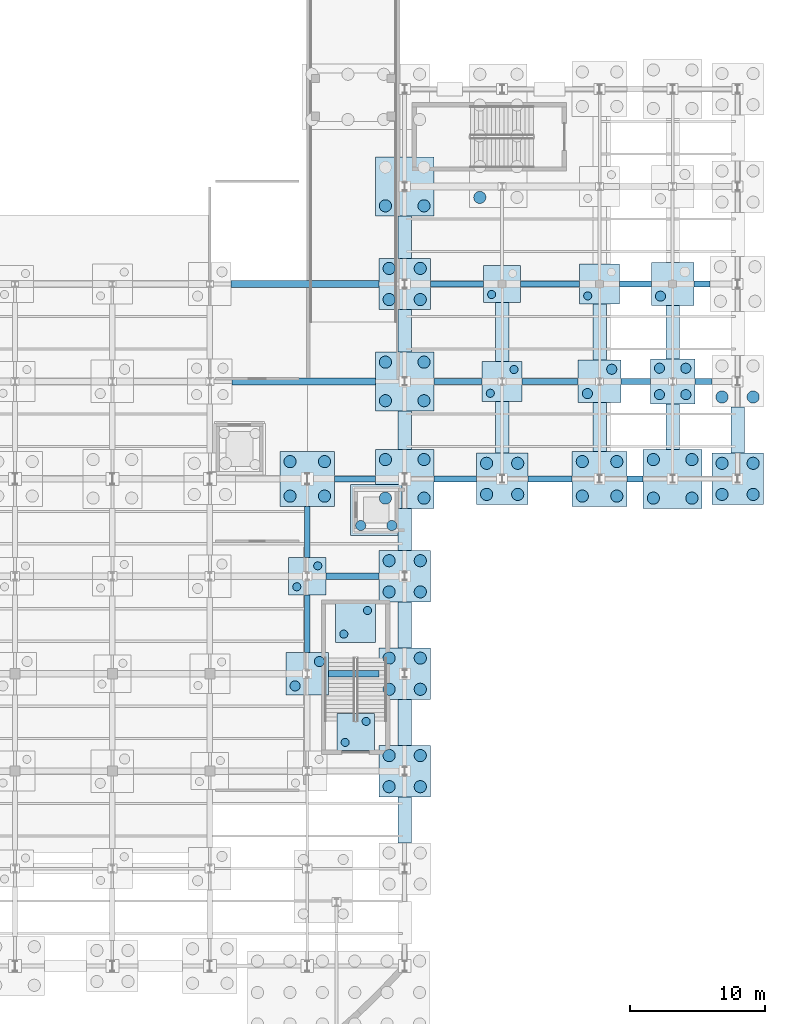
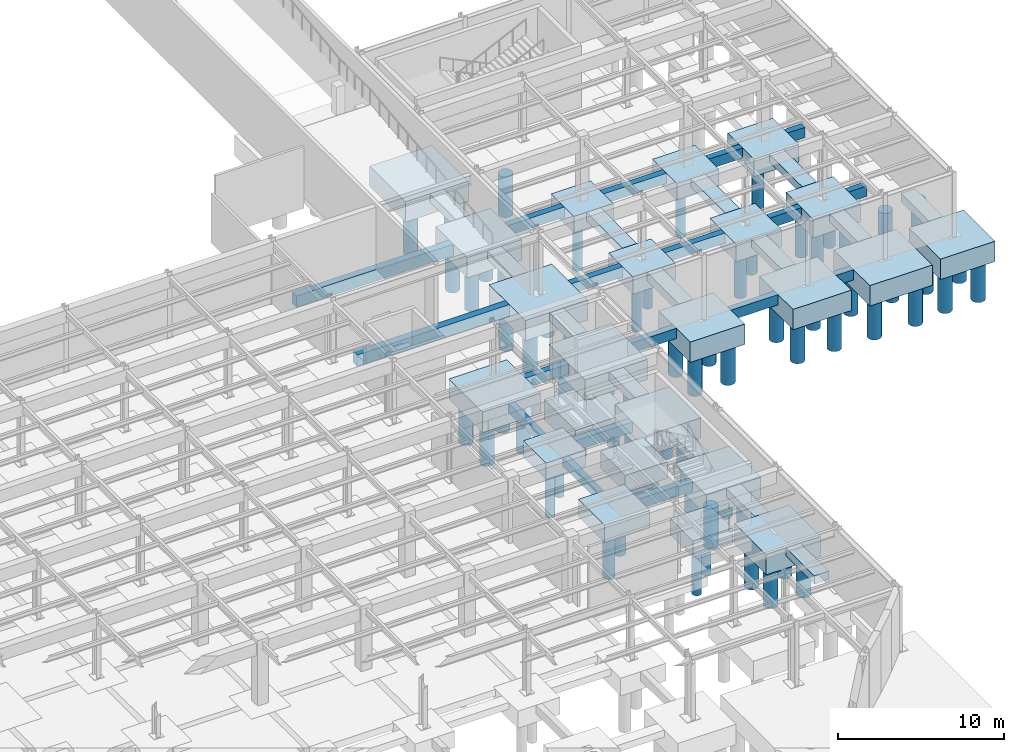
# One storey, part 14 of 64: 70 piles, 55 footings.
"""IFC4 building model written with IfcOpenShell, lengths in metres."""

from ifc_helpers import new_model, si_unit, direction, frame, origin, origin_2d, place, context, subcontext, project, spatial, rectangle, circle, extrude, material, material_profile, profile_set, type_object, element, save


model = new_model("IFC4")

# Units and contexts
model_context = context("Model", 3, precision=1e-05, world=origin(), true_north=direction((0.0, 1.0)))
body_context = subcontext(model_context, "Body", "Model", "MODEL_VIEW")
ifc_project = project(units=[si_unit("LENGTHUNIT", "METRE"), si_unit("AREAUNIT", "SQUARE_METRE"), si_unit("VOLUMEUNIT", "CUBIC_METRE"), si_unit("PLANEANGLEUNIT", "RADIAN"), si_unit("MASSUNIT", "GRAM", prefix="KILO")], contexts=[model_context])

# Site, building, storey
site_placement = place(None, origin())
site = spatial("IfcSite", under=ifc_project, at=site_placement, CompositionType="ELEMENT")
building_placement = place(site_placement, origin())
building = spatial("IfcBuilding", under=site, at=building_placement, Name="Solvadek Multi-Sports Hall", CompositionType="ELEMENT")
storey_placement = place(building_placement, frame((0.0, 0.0, -4.800048828125)))
storey = spatial("IfcBuildingStorey", under=building, at=storey_placement, Name="B1", CompositionType="ELEMENT", Elevation=-4.800048828125)

# Footings
ifc_material_1 = material(Name="Concrete M40", Category="concrete")
footing_type_1 = type_object("IfcFootingType", Name="STR-CAP-275X275X120", PredefinedType="PILE_CAP", material=ifc_material_1)
for number, where, z_axis, x_axis, name in (
    (1, (133.175048828125, 23.300048828125, -1.19970703125), (0.0, 0.0, 1.0), (1.0, 0.0, 0.0), "Pile Cap PC-02 #82"),
    (2, (129.60009765625, 34.800048828125, -1.19970703125), (0.0, 0.0, 1.0), (1.0, 0.0, 0.0), "Pile Cap PC-02 #124"),
    (3, (144.0, 56.39990234375, -1.19970703125), (0.0, 0.0, 1.0), (1.0, 0.0, 0.0), "Pile Cap PC-02 #193"),
):
    element("IfcFooting", number, at=place(storey_placement, frame(where, z_axis=z_axis, x_axis=x_axis)), inside=storey, type_object=footing_type_1, Name=name, PredefinedType="PILE_CAP", context=body_context, shape_type="SweptSolid", body=[
        extrude(rectangle(XDim=2.75, YDim=2.75, at=origin_2d()), origin(), (0.0, 0.0, 1.0), 1.199951171875),
    ])
footing_type_2 = type_object("IfcFootingType", Name="STR-CAP-295X295X125", PredefinedType="PILE_CAP", material=ifc_material_1)
for number, where, z_axis, x_axis, name in (
    (4, (133.175048828125, 31.39990234375, -1.25), (0.0, 0.0, 1.0), (1.0, 0.0, 0.0), "Pile Cap PC-14 #104"),
    (5, (144.0, 49.199951171875, -1.25), (0.0, 0.0, 1.0), (1.0, 0.0, 0.0), "Pile Cap PC-14 #169"),
    (6, (151.199951171875, 56.39990234375, -1.25), (0.0, 0.0, 1.0), (1.0, 0.0, 0.0), "Pile Cap PC-14 #194"),
):
    element("IfcFooting", number, at=place(storey_placement, frame(where, z_axis=z_axis, x_axis=x_axis)), inside=storey, type_object=footing_type_2, Name=name, PredefinedType="PILE_CAP", context=body_context, shape_type="SweptSolid", body=[
        extrude(rectangle(XDim=2.949951171875, YDim=2.949951171875, at=origin_2d()), origin(), (0.0, 0.0, 1.0), 1.25),
    ])
footing_type_3 = type_object("IfcFootingType", Name="STR-CAP-315X315X130", PredefinedType="PILE_CAP", material=ifc_material_1)
for number, where, z_axis, x_axis, name in (
    (7, (129.60009765625, 27.60009765625, -1.2998046875), (0.0, 0.0, 1.0), (1.0, 0.0, 0.0), "Pile Cap PC-15 #102"),
    (8, (151.199951171875, 49.199951171875, -1.2998046875), (0.0, 0.0, 1.0), (1.0, 0.0, 0.0), "Pile Cap PC-15 #170"),
    (9, (156.60009765625, 56.39990234375, -1.2998046875), (0.0, 0.0, 1.0), (1.0, 0.0, 0.0), "Pile Cap PC-15 #195"),
):
    element("IfcFooting", number, at=place(storey_placement, frame(where, z_axis=z_axis, x_axis=x_axis)), inside=storey, type_object=footing_type_3, Name=name, PredefinedType="PILE_CAP", context=body_context, shape_type="SweptSolid", body=[
        extrude(rectangle(XDim=3.14990234375, YDim=3.14990234375, at=origin_2d()), origin(), (0.0, 0.0, 1.0), 1.300048828125),
    ])
footing_type_4 = type_object("IfcFootingType", Name="STR-CAP-330X330X135", PredefinedType="PILE_CAP", material=ifc_material_1)
footing_1_placement = place(storey_placement, frame((156.60009765625, 49.199951171875, -1.35009765625), z_axis=(0.0, 0.0, 1.0), x_axis=(1.0, 0.0, 0.0)))
element("IfcFooting", 10, at=footing_1_placement, inside=storey, type_object=footing_type_4, Name="Pile Cap PC-04 #171", PredefinedType="PILE_CAP", context=body_context, shape_type="SweptSolid", body=[
    extrude(rectangle(XDim=3.300048828125, YDim=3.300048828125, at=origin_2d()), origin(), (0.0, 0.0, 1.0), 1.35009765625),
])
footing_type_5 = type_object("IfcFootingType", Name="STR-CAP-380X380X150", PredefinedType="PILE_CAP", material=ifc_material_1)
for number, where, z_axis, x_axis, name in (
    (11, (136.800048828125, 20.39990234375, -1.5), (0.0, 0.0, 1.0), (1.0, 0.0, 0.0), "Pile Cap PC-06 #64"),
    (12, (136.800048828125, 27.60009765625, -1.5), (0.0, 0.0, 1.0), (1.0, 0.0, 0.0), "Pile Cap PC-06 #85"),
    (13, (136.800048828125, 34.800048828125, -1.5), (0.0, 0.0, 1.0), (1.0, 0.0, 0.0), "Pile Cap PC-06 #106"),
    (14, (144.0, 42.0, -1.5), (0.0, 0.0, 1.0), (1.0, 0.0, 0.0), "Pile Cap PC-06 #133"),
    (15, (161.39990234375, 42.0, -1.5), (0.0, 0.0, 1.0), (1.0, 0.0, 0.0), "Pile Cap PC-06 #136"),
    (16, (136.800048828125, 56.39990234375, -1.5), (0.0, 0.0, 1.0), (1.0, 0.0, 0.0), "Pile Cap PC-06 #175"),
    (17, (134.699951171875, 39.699951171875, -3.349853515625), (0.0, 0.0, 1.0), (1.0, 0.0, 0.0), "Lift Pit Pile Cap #298"),
):
    element("IfcFooting", number, at=place(storey_placement, frame(where, z_axis=z_axis, x_axis=x_axis)), inside=storey, type_object=footing_type_5, Name=name, PredefinedType="PILE_CAP", context=body_context, shape_type="SweptSolid", body=[
        extrude(rectangle(XDim=3.800048828125, YDim=3.800048828125, at=origin_2d()), origin(), (0.0, 0.0, 1.0), 1.5),
    ])
footing_type_6 = type_object("IfcFootingType", Name="STR-CAP-405X405X150", PredefinedType="PILE_CAP", material=ifc_material_1)
for number, where, z_axis, x_axis, name in (
    (18, (129.60009765625, 42.0, -1.5), (0.0, 0.0, 1.0), (1.0, 0.0, 0.0), "Pile Cap PC-17 #131"),
    (19, (151.199951171875, 42.0, -1.5), (0.0, 0.0, 1.0), (1.0, 0.0, 0.0), "Pile Cap PC-17 #134"),
):
    element("IfcFooting", number, at=place(storey_placement, frame(where, z_axis=z_axis, x_axis=x_axis)), inside=storey, type_object=footing_type_6, Name=name, PredefinedType="PILE_CAP", context=body_context, shape_type="SweptSolid", body=[
        extrude(rectangle(XDim=4.050048828125, YDim=4.050048828125, at=origin_2d()), origin(), (0.0, 0.0, 1.0), 1.5),
    ])
footing_type_7 = type_object("IfcFootingType", Name="STR-CAP-435X435X150", PredefinedType="PILE_CAP", material=ifc_material_1)
for number, where, z_axis, x_axis, name in (
    (20, (136.800048828125, 42.0, -1.5), (0.0, 0.0, 1.0), (1.0, 0.0, 0.0), "Pile Cap PC-18 #132"),
    (21, (156.60009765625, 42.0, -1.5), (0.0, 0.0, 1.0), (1.0, 0.0, 0.0), "Pile Cap PC-18 #135"),
    (22, (136.800048828125, 49.199951171875, -1.5), (0.0, 0.0, 1.0), (1.0, 0.0, 0.0), "Pile Cap PC-18 #156"),
    (23, (136.800048828125, 63.60009765625, -1.5), (0.0, 0.0, 1.0), (1.0, 0.0, 0.0), "Pile Cap PC-18 #198"),
):
    element("IfcFooting", number, at=place(storey_placement, frame(where, z_axis=z_axis, x_axis=x_axis)), inside=storey, type_object=footing_type_7, Name=name, PredefinedType="PILE_CAP", context=body_context, shape_type="SweptSolid", body=[
        extrude(rectangle(XDim=4.35009765625, YDim=4.35009765625, at=origin_2d()), origin(), (0.0, 0.0, 1.0), 1.5),
    ])
footing_type_8 = type_object("IfcFootingType", Name="STR-FTB-400X650", PredefinedType="FOOTING_BEAM", material=ifc_material_1)
footing_2_placement = place(storey_placement, frame((129.60009765625, 31.300048828125, -0.64990234375), z_axis=(0.0, 0.0, 1.0), x_axis=(0.0, 1.0, 0.0)))
element("IfcFooting", 24, at=footing_2_placement, inside=storey, type_object=footing_type_8, Name="Foundation Beam FB-01 #411", PredefinedType="FOOTING_BEAM", context=body_context, shape_type="SweptSolid", body=[
    extrude(rectangle(XDim=4.25, YDim=0.39990234375, at=origin_2d()), origin(), (0.0, 0.0, 1.0), 0.64990234375),
])
footing_3_placement = place(storey_placement, frame((129.60009765625, 38.074951171875, -0.64990234375), z_axis=(0.0, 0.0, 1.0), x_axis=(0.0, 1.0, 0.0)))
element("IfcFooting", 25, at=footing_3_placement, inside=storey, type_object=footing_type_8, Name="Foundation Beam FB-01 #412", PredefinedType="FOOTING_BEAM", context=body_context, shape_type="SweptSolid", body=[
    extrude(rectangle(XDim=3.800048828125, YDim=0.39990234375, at=origin_2d()), origin(), (0.0, 0.0, 1.0), 0.64990234375),
])
footing_type_9 = type_object("IfcFootingType", Name="STR-FTB-450X750", PredefinedType="FOOTING_BEAM", material=ifc_material_1)
footing_4_placement = place(storey_placement, frame((133.03759765625, 27.60009765625, -0.75), z_axis=(0.0, 0.0, 1.0), x_axis=(1.0, 0.0, 0.0)))
element("IfcFooting", 26, at=footing_4_placement, inside=storey, type_object=footing_type_9, Name="Foundation Beam FB-02 #57", PredefinedType="FOOTING_BEAM", context=body_context, shape_type="SweptSolid", body=[
    extrude(rectangle(XDim=3.72509765625, YDim=0.449951171875, at=origin_2d()), origin(), (0.0, 0.0, 1.0), 0.75),
])
footing_5_placement = place(storey_placement, frame((132.9375, 34.800048828125, -0.75), z_axis=(0.0, 0.0, 1.0), x_axis=(1.0, 0.0, 0.0)))
element("IfcFooting", 27, at=footing_5_placement, inside=storey, type_object=footing_type_9, Name="Foundation Beam FB-02 #76", PredefinedType="FOOTING_BEAM", context=body_context, shape_type="SweptSolid", body=[
    extrude(rectangle(XDim=3.925048828125, YDim=0.449951171875, at=origin_2d()), origin(), (0.0, 0.0, 1.0), 0.75),
])
footing_6_placement = place(storey_placement, frame((133.125, 42.0, -0.75), z_axis=(0.0, 0.0, 1.0), x_axis=(1.0, 0.0, 0.0)))
element("IfcFooting", 28, at=footing_6_placement, inside=storey, type_object=footing_type_9, Name="Foundation Beam FB-02 #95", PredefinedType="FOOTING_BEAM", context=body_context, shape_type="SweptSolid", body=[
    extrude(rectangle(XDim=3.0, YDim=0.449951171875, at=origin_2d()), origin(), (0.0, 0.0, 1.0), 0.75),
])
footing_7_placement = place(storey_placement, frame((140.53759765625, 42.0, -0.75), z_axis=(0.0, 0.0, 1.0), x_axis=(1.0, 0.0, 0.0)))
element("IfcFooting", 29, at=footing_7_placement, inside=storey, type_object=footing_type_9, Name="Foundation Beam FB-02 #96", PredefinedType="FOOTING_BEAM", context=body_context, shape_type="SweptSolid", body=[
    extrude(rectangle(XDim=3.125, YDim=0.449951171875, at=origin_2d()), origin(), (0.0, 0.0, 1.0), 0.75),
])
footing_8_placement = place(storey_placement, frame((147.53759765625, 42.0, -0.75), z_axis=(0.0, 0.0, 1.0), x_axis=(1.0, 0.0, 0.0)))
element("IfcFooting", 30, at=footing_8_placement, inside=storey, type_object=footing_type_9, Name="Foundation Beam FB-02 #97", PredefinedType="FOOTING_BEAM", context=body_context, shape_type="SweptSolid", body=[
    extrude(rectangle(XDim=3.27490234375, YDim=0.449951171875, at=origin_2d()), origin(), (0.0, 0.0, 1.0), 0.75),
])
footing_9_placement = place(storey_placement, frame((153.824951171875, 42.0, -0.75), z_axis=(0.0, 0.0, 1.0), x_axis=(1.0, 0.0, 0.0)))
element("IfcFooting", 31, at=footing_9_placement, inside=storey, type_object=footing_type_9, Name="Foundation Beam FB-02 #98", PredefinedType="FOOTING_BEAM", context=body_context, shape_type="SweptSolid", body=[
    extrude(rectangle(XDim=1.199951171875, YDim=0.449951171875, at=origin_2d()), origin(), (0.0, 0.0, 1.0), 0.75),
])
footing_10_placement = place(storey_placement, frame((140.75, 49.199951171875, -0.75), z_axis=(0.0, 0.0, 1.0), x_axis=(1.0, 0.0, 0.0)))
element("IfcFooting", 32, at=footing_10_placement, inside=storey, type_object=footing_type_9, Name="Foundation Beam FB-02 #115", PredefinedType="FOOTING_BEAM", context=body_context, shape_type="SweptSolid", body=[
    extrude(rectangle(XDim=3.550048828125, YDim=0.449951171875, at=origin_2d()), origin(), (0.0, 0.0, 1.0), 0.75),
])
footing_11_placement = place(storey_placement, frame((147.550048828125, 49.199951171875, -0.75), z_axis=(0.0, 0.0, 1.0), x_axis=(1.0, 0.0, 0.0)))
element("IfcFooting", 33, at=footing_11_placement, inside=storey, type_object=footing_type_9, Name="Foundation Beam FB-02 #116", PredefinedType="FOOTING_BEAM", context=body_context, shape_type="SweptSolid", body=[
    extrude(rectangle(XDim=4.14990234375, YDim=0.449951171875, at=origin_2d()), origin(), (0.0, 0.0, 1.0), 0.75),
])
footing_12_placement = place(storey_placement, frame((153.862548828125, 49.199951171875, -0.75), z_axis=(0.0, 0.0, 1.0), x_axis=(1.0, 0.0, 0.0)))
element("IfcFooting", 34, at=footing_12_placement, inside=storey, type_object=footing_type_9, Name="Foundation Beam FB-02 #117", PredefinedType="FOOTING_BEAM", context=body_context, shape_type="SweptSolid", body=[
    extrude(rectangle(XDim=2.175048828125, YDim=0.449951171875, at=origin_2d()), origin(), (0.0, 0.0, 1.0), 0.75),
])
footing_13_placement = place(storey_placement, frame((158.875, 49.199951171875, -0.75), z_axis=(0.0, 0.0, 1.0), x_axis=(1.0, 0.0, 0.0)))
element("IfcFooting", 35, at=footing_13_placement, inside=storey, type_object=footing_type_9, Name="Foundation Beam FB-02 #118", PredefinedType="FOOTING_BEAM", context=body_context, shape_type="SweptSolid", body=[
    extrude(rectangle(XDim=1.25, YDim=0.449951171875, at=origin_2d()), origin(), (0.0, 0.0, 1.0), 0.75),
])
footing_14_placement = place(storey_placement, frame((140.66259765625, 56.39990234375, -0.75), z_axis=(0.0, 0.0, 1.0), x_axis=(1.0, 0.0, 0.0)))
element("IfcFooting", 36, at=footing_14_placement, inside=storey, type_object=footing_type_9, Name="Foundation Beam FB-02 #136", PredefinedType="FOOTING_BEAM", context=body_context, shape_type="SweptSolid", body=[
    extrude(rectangle(XDim=3.925048828125, YDim=0.449951171875, at=origin_2d()), origin(), (0.0, 0.0, 1.0), 0.75),
])
footing_15_placement = place(storey_placement, frame((147.550048828125, 56.39990234375, -0.75), z_axis=(0.0, 0.0, 1.0), x_axis=(1.0, 0.0, 0.0)))
element("IfcFooting", 37, at=footing_15_placement, inside=storey, type_object=footing_type_9, Name="Foundation Beam FB-02 #137", PredefinedType="FOOTING_BEAM", context=body_context, shape_type="SweptSolid", body=[
    extrude(rectangle(XDim=4.35009765625, YDim=0.449951171875, at=origin_2d()), origin(), (0.0, 0.0, 1.0), 0.75),
])
footing_16_placement = place(storey_placement, frame((153.85009765625, 56.39990234375, -0.75), z_axis=(0.0, 0.0, 1.0), x_axis=(1.0, 0.0, 0.0)))
element("IfcFooting", 38, at=footing_16_placement, inside=storey, type_object=footing_type_9, Name="Foundation Beam FB-02 #138", PredefinedType="FOOTING_BEAM", context=body_context, shape_type="SweptSolid", body=[
    extrude(rectangle(XDim=2.35009765625, YDim=0.449951171875, at=origin_2d()), origin(), (0.0, 0.0, 1.0), 0.75),
])
footing_17_placement = place(storey_placement, frame((158.77490234375, 56.39990234375, -0.75), z_axis=(0.0, 0.0, 1.0), x_axis=(1.0, 0.0, 0.0)))
element("IfcFooting", 39, at=footing_17_placement, inside=storey, type_object=footing_type_9, Name="Foundation Beam FB-02 #139", PredefinedType="FOOTING_BEAM", context=body_context, shape_type="SweptSolid", body=[
    extrude(rectangle(XDim=1.199951171875, YDim=0.449951171875, at=origin_2d()), origin(), (0.0, 0.0, 1.0), 0.75),
])
footing_type_10 = type_object("IfcFootingType", Name="STR-FTB-500X850", PredefinedType="FOOTING_BEAM", material=ifc_material_1)
footing_18_placement = place(storey_placement, frame((129.33740234375, 49.199951171875, -0.85009765625), z_axis=(0.0, 0.0, 1.0), x_axis=(1.0, 0.0, 0.0)))
element("IfcFooting", 40, at=footing_18_placement, inside=storey, type_object=footing_type_10, Name="Foundation Beam FB-03 #114", PredefinedType="FOOTING_BEAM", context=body_context, shape_type="SweptSolid", body=[
    extrude(rectangle(XDim=10.574951171875, YDim=0.5, at=origin_2d()), origin(), (0.0, 0.0, 1.0), 0.85009765625),
])
footing_19_placement = place(storey_placement, frame((129.4375, 56.39990234375, -0.85009765625), z_axis=(0.0, 0.0, 1.0), x_axis=(1.0, 0.0, 0.0)))
element("IfcFooting", 41, at=footing_19_placement, inside=storey, type_object=footing_type_10, Name="Foundation Beam FB-03 #135", PredefinedType="FOOTING_BEAM", context=body_context, shape_type="SweptSolid", body=[
    extrude(rectangle(XDim=10.925048828125, YDim=0.5, at=origin_2d()), origin(), (0.0, 0.0, 1.0), 0.85009765625),
])

# Piles
ifc_material_2 = material(Name="Concrete M35", Category="concrete")
ifc_material_profile_1 = material_profile(ifc_material_2, circle(Radius=0.300048828125, at=origin_2d()), Name="BORED PILE D600")
ifc_profile_set_1 = profile_set([ifc_material_profile_1], Name="Concrete M35")
pile_type_1 = type_object("IfcPileType", Name="STR-PILE-D600", PredefinedType="BORED", material=ifc_profile_set_1)
for number, where, z_axis, x_axis, name in (
    (42, (132.39990234375, 22.52490234375, -1.099853515625), (0.0, 0.0, -1.0), (1.0, 0.0, 0.0), "Bored Pile PL-600 #304"),
    (43, (133.949951171875, 24.074951171875, -1.099853515625), (0.0, 0.0, -1.0), (1.0, 0.0, 0.0), "Bored Pile PL-600 #305"),
):
    element("IfcPile", number, at=place(storey_placement, frame(where, z_axis=z_axis, x_axis=x_axis)), inside=storey, type_object=pile_type_1, Name=name, PredefinedType="BORED", context=body_context, shape_type="SweptSolid", body=[
        extrude(circle(Radius=0.300048828125, at=origin_2d()), origin(), (0.0, 0.0, 1.0), 3.300048828125),
    ])
for number, where, z_axis, x_axis, name in (
    (44, (132.300048828125, 30.52490234375, -1.14990234375), (0.0, 0.0, -1.0), (1.0, 0.0, 0.0), "Bored Pile PL-600 #358"),
    (45, (134.050048828125, 32.27490234375, -1.14990234375), (0.0, 0.0, -1.0), (1.0, 0.0, 0.0), "Bored Pile PL-600 #359"),
):
    element("IfcPile", number, at=place(storey_placement, frame(where, z_axis=z_axis, x_axis=x_axis)), inside=storey, type_object=pile_type_1, Name=name, PredefinedType="BORED", context=body_context, shape_type="SweptSolid", body=[
        extrude(circle(Radius=0.300048828125, at=origin_2d()), origin(), (0.0, 0.0, 1.0), 3.25),
    ])
for number, where, z_axis, x_axis, name in (
    (46, (128.824951171875, 34.02490234375, -1.099853515625), (0.0, 0.0, -1.0), (1.0, 0.0, 0.0), "Bored Pile PL-600 #406"),
    (47, (130.375, 35.574951171875, -1.099853515625), (0.0, 0.0, -1.0), (1.0, 0.0, 0.0), "Bored Pile PL-600 #407"),
):
    element("IfcPile", number, at=place(storey_placement, frame(where, z_axis=z_axis, x_axis=x_axis)), inside=storey, type_object=pile_type_1, Name=name, PredefinedType="BORED", context=body_context, shape_type="SweptSolid", body=[
        extrude(circle(Radius=0.300048828125, at=origin_2d()), origin(), (0.0, 0.0, 1.0), 3.300048828125),
    ])
for number, where, z_axis, x_axis, name in (
    (48, (143.125, 48.324951171875, -1.14990234375), (0.0, 0.0, -1.0), (1.0, 0.0, 0.0), "Bored Pile PL-600 #540"),
    (49, (144.875, 50.074951171875, -1.14990234375), (0.0, 0.0, -1.0), (1.0, 0.0, 0.0), "Bored Pile PL-600 #541"),
):
    element("IfcPile", number, at=place(storey_placement, frame(where, z_axis=z_axis, x_axis=x_axis)), inside=storey, type_object=pile_type_1, Name=name, PredefinedType="BORED", context=body_context, shape_type="SweptSolid", body=[
        extrude(circle(Radius=0.300048828125, at=origin_2d()), origin(), (0.0, 0.0, 1.0), 3.25),
    ])
pile_1_placement = place(storey_placement, frame((143.22509765625, 55.625, -1.099853515625), z_axis=(0.0, 0.0, -1.0), x_axis=(1.0, 0.0, 0.0)))
element("IfcPile", 50, at=pile_1_placement, inside=storey, type_object=pile_type_1, Name="Bored Pile PL-600 #602", PredefinedType="BORED", context=body_context, shape_type="SweptSolid", body=[
    extrude(circle(Radius=0.300048828125, at=origin_2d()), origin(), (0.0, 0.0, 1.0), 3.300048828125),
])
pile_2_placement = place(storey_placement, frame((150.324951171875, 55.52490234375, -1.14990234375), z_axis=(0.0, 0.0, -1.0), x_axis=(1.0, 0.0, 0.0)))
element("IfcPile", 51, at=pile_2_placement, inside=storey, type_object=pile_type_1, Name="Bored Pile PL-600 #604", PredefinedType="BORED", context=body_context, shape_type="SweptSolid", body=[
    extrude(circle(Radius=0.300048828125, at=origin_2d()), origin(), (0.0, 0.0, 1.0), 3.25),
])
ifc_material_profile_2 = material_profile(ifc_material_2, circle(Radius=0.375, at=origin_2d()), Name="BORED PILE D750")
ifc_profile_set_2 = profile_set([ifc_material_profile_2], Name="Concrete M35")
pile_type_2 = type_object("IfcPileType", Name="STR-PILE-D750", PredefinedType="BORED", material=ifc_profile_set_2)
for number, where, z_axis, x_axis, name in (
    (52, (128.699951171875, 26.699951171875, -1.199951171875), (0.0, 0.0, -1.0), (1.0, 0.0, 0.0), "Bored Pile PL-750 #354"),
    (53, (130.5, 28.5, -1.199951171875), (0.0, 0.0, -1.0), (1.0, 0.0, 0.0), "Bored Pile PL-750 #355"),
    (54, (150.300048828125, 48.300048828125, -1.199951171875), (0.0, 0.0, -1.0), (1.0, 0.0, 0.0), "Bored Pile PL-750 #542"),
    (55, (152.10009765625, 50.10009765625, -1.199951171875), (0.0, 0.0, -1.0), (1.0, 0.0, 0.0), "Bored Pile PL-750 #543"),
):
    element("IfcPile", number, at=place(storey_placement, frame(where, z_axis=z_axis, x_axis=x_axis)), inside=storey, type_object=pile_type_2, Name=name, PredefinedType="BORED", context=body_context, shape_type="SweptSolid", body=[
        extrude(circle(Radius=0.375, at=origin_2d()), origin(), (0.0, 0.0, 1.0), 3.199951171875),
    ])
for number, where, z_axis, x_axis, name in (
    (56, (155.625, 48.22509765625, -1.25), (0.0, 0.0, -1.0), (1.0, 0.0, 0.0), "Bored Pile PL-750 #544"),
    (57, (155.625, 50.175048828125, -1.25), (0.0, 0.0, -1.0), (1.0, 0.0, 0.0), "Bored Pile PL-750 #545"),
    (58, (157.574951171875, 48.22509765625, -1.25), (0.0, 0.0, -1.0), (1.0, 0.0, 0.0), "Bored Pile PL-750 #546"),
    (59, (157.574951171875, 50.175048828125, -1.25), (0.0, 0.0, -1.0), (1.0, 0.0, 0.0), "Bored Pile PL-750 #547"),
):
    element("IfcPile", number, at=place(storey_placement, frame(where, z_axis=z_axis, x_axis=x_axis)), inside=storey, type_object=pile_type_2, Name=name, PredefinedType="BORED", context=body_context, shape_type="SweptSolid", body=[
        extrude(circle(Radius=0.375, at=origin_2d()), origin(), (0.0, 0.0, 1.0), 3.14990234375),
    ])
pile_3_placement = place(storey_placement, frame((155.699951171875, 55.5, -1.199951171875), z_axis=(0.0, 0.0, -1.0), x_axis=(1.0, 0.0, 0.0)))
element("IfcPile", 60, at=pile_3_placement, inside=storey, type_object=pile_type_2, Name="Bored Pile PL-750 #606", PredefinedType="BORED", context=body_context, shape_type="SweptSolid", body=[
    extrude(circle(Radius=0.375, at=origin_2d()), origin(), (0.0, 0.0, 1.0), 3.199951171875),
])
for number, where, z_axis, x_axis, name in (
    (61, (133.550048828125, 38.550048828125, -3.25), (0.0, 0.0, -1.0), (1.0, 0.0, 0.0), "Lift Pit Bored Pile PL-750 #928"),
    (62, (135.85009765625, 38.550048828125, -3.25), (0.0, 0.0, -1.0), (1.0, 0.0, 0.0), "Lift Pit Bored Pile PL-750 #929"),
):
    element("IfcPile", number, at=place(storey_placement, frame(where, z_axis=z_axis, x_axis=x_axis)), inside=storey, type_object=pile_type_2, Name=name, PredefinedType="BORED", context=body_context, shape_type="SweptSolid", body=[
        extrude(circle(Radius=0.375, at=origin_2d()), origin(), (0.0, 0.0, 1.0), 1.14990234375),
    ])
ifc_material_profile_3 = material_profile(ifc_material_2, circle(Radius=0.449951171875, at=origin_2d()), Name="BORED PILE D900")
ifc_profile_set_3 = profile_set([ifc_material_profile_3], Name="Concrete M35")
pile_type_3 = type_object("IfcPileType", Name="STR-PILE-D900", PredefinedType="BORED", material=ifc_profile_set_3)
for number, where, z_axis, x_axis, name in (
    (63, (135.64990234375, 19.25, -1.39990234375), (0.0, 0.0, -1.0), (1.0, 0.0, 0.0), "Bored Pile PL-900 #262"),
    (64, (135.64990234375, 21.550048828125, -1.39990234375), (0.0, 0.0, -1.0), (1.0, 0.0, 0.0), "Bored Pile PL-900 #263"),
    (65, (137.949951171875, 19.25, -1.39990234375), (0.0, 0.0, -1.0), (1.0, 0.0, 0.0), "Bored Pile PL-900 #264"),
    (66, (137.949951171875, 21.550048828125, -1.39990234375), (0.0, 0.0, -1.0), (1.0, 0.0, 0.0), "Bored Pile PL-900 #265"),
    (67, (135.64990234375, 26.449951171875, -1.39990234375), (0.0, 0.0, -1.0), (1.0, 0.0, 0.0), "Bored Pile PL-900 #314"),
    (68, (135.64990234375, 28.75, -1.39990234375), (0.0, 0.0, -1.0), (1.0, 0.0, 0.0), "Bored Pile PL-900 #315"),
    (69, (137.949951171875, 26.449951171875, -1.39990234375), (0.0, 0.0, -1.0), (1.0, 0.0, 0.0), "Bored Pile PL-900 #316"),
    (70, (137.949951171875, 28.75, -1.39990234375), (0.0, 0.0, -1.0), (1.0, 0.0, 0.0), "Bored Pile PL-900 #317"),
    (71, (135.64990234375, 33.64990234375, -1.39990234375), (0.0, 0.0, -1.0), (1.0, 0.0, 0.0), "Bored Pile PL-900 #364"),
    (72, (135.64990234375, 35.949951171875, -1.39990234375), (0.0, 0.0, -1.0), (1.0, 0.0, 0.0), "Bored Pile PL-900 #365"),
    (73, (137.949951171875, 33.64990234375, -1.39990234375), (0.0, 0.0, -1.0), (1.0, 0.0, 0.0), "Bored Pile PL-900 #366"),
    (74, (137.949951171875, 35.949951171875, -1.39990234375), (0.0, 0.0, -1.0), (1.0, 0.0, 0.0), "Bored Pile PL-900 #367"),
    (75, (128.324951171875, 40.72509765625, -1.39990234375), (0.0, 0.0, -1.0), (1.0, 0.0, 0.0), "Bored Pile PL-900 #432"),
    (76, (128.324951171875, 43.27490234375, -1.39990234375), (0.0, 0.0, -1.0), (1.0, 0.0, 0.0), "Bored Pile PL-900 #433"),
    (77, (130.875, 40.72509765625, -1.39990234375), (0.0, 0.0, -1.0), (1.0, 0.0, 0.0), "Bored Pile PL-900 #434"),
    (78, (130.875, 43.27490234375, -1.39990234375), (0.0, 0.0, -1.0), (1.0, 0.0, 0.0), "Bored Pile PL-900 #435"),
    (79, (135.375, 40.574951171875, -1.39990234375), (0.0, 0.0, -1.0), (1.0, 0.0, 0.0), "Bored Pile PL-900 #436"),
    (80, (135.375, 43.425048828125, -1.39990234375), (0.0, 0.0, -1.0), (1.0, 0.0, 0.0), "Bored Pile PL-900 #437"),
    (81, (138.22509765625, 40.574951171875, -1.39990234375), (0.0, 0.0, -1.0), (1.0, 0.0, 0.0), "Bored Pile PL-900 #438"),
    (82, (138.22509765625, 43.425048828125, -1.39990234375), (0.0, 0.0, -1.0), (1.0, 0.0, 0.0), "Bored Pile PL-900 #439"),
    (83, (142.85009765625, 40.85009765625, -1.39990234375), (0.0, 0.0, -1.0), (1.0, 0.0, 0.0), "Bored Pile PL-900 #440"),
    (84, (142.85009765625, 43.14990234375, -1.39990234375), (0.0, 0.0, -1.0), (1.0, 0.0, 0.0), "Bored Pile PL-900 #441"),
    (85, (145.14990234375, 40.85009765625, -1.39990234375), (0.0, 0.0, -1.0), (1.0, 0.0, 0.0), "Bored Pile PL-900 #442"),
    (86, (145.14990234375, 43.14990234375, -1.39990234375), (0.0, 0.0, -1.0), (1.0, 0.0, 0.0), "Bored Pile PL-900 #443"),
    (87, (149.925048828125, 40.72509765625, -1.39990234375), (0.0, 0.0, -1.0), (1.0, 0.0, 0.0), "Bored Pile PL-900 #444"),
    (88, (149.925048828125, 43.27490234375, -1.39990234375), (0.0, 0.0, -1.0), (1.0, 0.0, 0.0), "Bored Pile PL-900 #445"),
    (89, (152.47509765625, 40.72509765625, -1.39990234375), (0.0, 0.0, -1.0), (1.0, 0.0, 0.0), "Bored Pile PL-900 #446"),
    (90, (152.47509765625, 43.27490234375, -1.39990234375), (0.0, 0.0, -1.0), (1.0, 0.0, 0.0), "Bored Pile PL-900 #447"),
    (91, (155.175048828125, 40.574951171875, -1.39990234375), (0.0, 0.0, -1.0), (1.0, 0.0, 0.0), "Bored Pile PL-900 #448"),
    (92, (155.175048828125, 43.425048828125, -1.39990234375), (0.0, 0.0, -1.0), (1.0, 0.0, 0.0), "Bored Pile PL-900 #449"),
    (93, (158.02490234375, 40.574951171875, -1.39990234375), (0.0, 0.0, -1.0), (1.0, 0.0, 0.0), "Bored Pile PL-900 #450"),
    (94, (158.02490234375, 43.425048828125, -1.39990234375), (0.0, 0.0, -1.0), (1.0, 0.0, 0.0), "Bored Pile PL-900 #451"),
    (95, (160.25, 40.85009765625, -1.39990234375), (0.0, 0.0, -1.0), (1.0, 0.0, 0.0), "Bored Pile PL-900 #452"),
    (96, (160.25, 43.14990234375, -1.39990234375), (0.0, 0.0, -1.0), (1.0, 0.0, 0.0), "Bored Pile PL-900 #453"),
    (97, (162.550048828125, 40.85009765625, -1.39990234375), (0.0, 0.0, -1.0), (1.0, 0.0, 0.0), "Bored Pile PL-900 #454"),
    (98, (162.550048828125, 43.14990234375, -1.39990234375), (0.0, 0.0, -1.0), (1.0, 0.0, 0.0), "Bored Pile PL-900 #455"),
    (99, (135.375, 47.77490234375, -1.39990234375), (0.0, 0.0, -1.0), (1.0, 0.0, 0.0), "Bored Pile PL-900 #502"),
    (100, (135.375, 50.625, -1.39990234375), (0.0, 0.0, -1.0), (1.0, 0.0, 0.0), "Bored Pile PL-900 #503"),
    (101, (138.22509765625, 47.77490234375, -1.39990234375), (0.0, 0.0, -1.0), (1.0, 0.0, 0.0), "Bored Pile PL-900 #504"),
    (102, (138.22509765625, 50.625, -1.39990234375), (0.0, 0.0, -1.0), (1.0, 0.0, 0.0), "Bored Pile PL-900 #505"),
    (103, (160.25, 48.050048828125, -1.39990234375), (0.0, 0.0, -1.0), (1.0, 0.0, 0.0), "Bored Pile PL-900 #506"),
    (104, (162.550048828125, 48.050048828125, -1.39990234375), (0.0, 0.0, -1.0), (1.0, 0.0, 0.0), "Bored Pile PL-900 #508"),
    (105, (135.64990234375, 55.25, -1.39990234375), (0.0, 0.0, -1.0), (1.0, 0.0, 0.0), "Bored Pile PL-900 #556"),
    (106, (135.64990234375, 57.550048828125, -1.39990234375), (0.0, 0.0, -1.0), (1.0, 0.0, 0.0), "Bored Pile PL-900 #557"),
    (107, (137.949951171875, 55.25, -1.39990234375), (0.0, 0.0, -1.0), (1.0, 0.0, 0.0), "Bored Pile PL-900 #558"),
    (108, (137.949951171875, 57.550048828125, -1.39990234375), (0.0, 0.0, -1.0), (1.0, 0.0, 0.0), "Bored Pile PL-900 #559"),
    (109, (135.375, 62.175048828125, -1.39990234375), (0.0, 0.0, -1.0), (1.0, 0.0, 0.0), "Bored Pile PL-900 #616"),
    (110, (138.22509765625, 62.175048828125, -1.39990234375), (0.0, 0.0, -1.0), (1.0, 0.0, 0.0), "Bored Pile PL-900 #618"),
    (111, (142.35009765625, 62.800048828125, -1.39990234375), (0.0, 0.0, -1.0), (1.0, 0.0, 0.0), "Bored Pile PL-900 #650"),
):
    element("IfcPile", number, at=place(storey_placement, frame(where, z_axis=z_axis, x_axis=x_axis)), inside=storey, type_object=pile_type_3, Name=name, PredefinedType="BORED", context=body_context, shape_type="SweptSolid", body=[
        extrude(circle(Radius=0.449951171875, at=origin_2d()), origin(), (0.0, 0.0, 1.0), 3.0),
    ])

# Footings
footing_type_11 = type_object("IfcFootingType", Name="STR-SFT-1000X600", PredefinedType="STRIP_FOOTING", material=ifc_material_1)
for number, where, z_axis, x_axis, name in (
    (112, (136.800048828125, 16.800048828125, -0.60009765625), (0.0, 0.0, 1.0), (0.0, 1.0, 0.0), "Foundation Beam SF-02 #413"),
    (113, (136.800048828125, 24.0, -0.60009765625), (0.0, 0.0, 1.0), (0.0, 1.0, 0.0), "Foundation Beam SF-02 #414"),
    (114, (136.800048828125, 31.199951171875, -0.60009765625), (0.0, 0.0, 1.0), (0.0, 1.0, 0.0), "Foundation Beam SF-02 #415"),
):
    element("IfcFooting", number, at=place(storey_placement, frame(where, z_axis=z_axis, x_axis=x_axis)), inside=storey, type_object=footing_type_11, Name=name, PredefinedType="STRIP_FOOTING", context=body_context, shape_type="SweptSolid", body=[
        extrude(rectangle(XDim=3.39990234375, YDim=1.0, at=origin_2d()), origin(), (0.0, 0.0, 1.0), 0.60009765625),
    ])
footing_20_placement = place(storey_placement, frame((136.800048828125, 38.262451171875, -0.60009765625), z_axis=(0.0, 0.0, 1.0), x_axis=(0.0, 1.0, 0.0)))
element("IfcFooting", 115, at=footing_20_placement, inside=storey, type_object=footing_type_11, Name="Foundation Beam SF-02 #416", PredefinedType="STRIP_FOOTING", context=body_context, shape_type="SweptSolid", body=[
    extrude(rectangle(XDim=3.125, YDim=1.0, at=origin_2d()), origin(), (0.0, 0.0, 1.0), 0.60009765625),
])
footing_21_placement = place(storey_placement, frame((136.800048828125, 45.60009765625, -0.60009765625), z_axis=(0.0, 0.0, 1.0), x_axis=(0.0, 1.0, 0.0)))
element("IfcFooting", 116, at=footing_21_placement, inside=storey, type_object=footing_type_11, Name="Foundation Beam SF-02 #417", PredefinedType="STRIP_FOOTING", context=body_context, shape_type="SweptSolid", body=[
    extrude(rectangle(XDim=2.85009765625, YDim=1.0, at=origin_2d()), origin(), (0.0, 0.0, 1.0), 0.60009765625),
])
for number, where, z_axis, x_axis, name in (
    (117, (136.800048828125, 52.9375, -0.60009765625), (0.0, 0.0, 1.0), (0.0, 1.0, 0.0), "Foundation Beam SF-02 #418"),
    (118, (136.800048828125, 59.862548828125, -0.60009765625), (0.0, 0.0, 1.0), (0.0, 1.0, 0.0), "Foundation Beam SF-02 #419"),
):
    element("IfcFooting", number, at=place(storey_placement, frame(where, z_axis=z_axis, x_axis=x_axis)), inside=storey, type_object=footing_type_11, Name=name, PredefinedType="STRIP_FOOTING", context=body_context, shape_type="SweptSolid", body=[
        extrude(rectangle(XDim=3.125, YDim=1.0, at=origin_2d()), origin(), (0.0, 0.0, 1.0), 0.60009765625),
    ])
footing_22_placement = place(storey_placement, frame((144.0, 45.8125, -0.60009765625), z_axis=(0.0, 0.0, 1.0), x_axis=(0.0, 1.0, 0.0)))
element("IfcFooting", 119, at=footing_22_placement, inside=storey, type_object=footing_type_11, Name="Foundation Beam SF-02 #420", PredefinedType="STRIP_FOOTING", context=body_context, shape_type="SweptSolid", body=[
    extrude(rectangle(XDim=3.824951171875, YDim=1.0, at=origin_2d()), origin(), (0.0, 0.0, 1.0), 0.60009765625),
])
footing_23_placement = place(storey_placement, frame((144.0, 52.85009765625, -0.60009765625), z_axis=(0.0, 0.0, 1.0), x_axis=(0.0, 1.0, 0.0)))
element("IfcFooting", 120, at=footing_23_placement, inside=storey, type_object=footing_type_11, Name="Foundation Beam SF-02 #421", PredefinedType="STRIP_FOOTING", context=body_context, shape_type="SweptSolid", body=[
    extrude(rectangle(XDim=4.35009765625, YDim=1.0, at=origin_2d()), origin(), (0.0, 0.0, 1.0), 0.60009765625),
])
footing_24_placement = place(storey_placement, frame((151.199951171875, 45.824951171875, -0.60009765625), z_axis=(0.0, 0.0, 1.0), x_axis=(0.0, 1.0, 0.0)))
element("IfcFooting", 121, at=footing_24_placement, inside=storey, type_object=footing_type_11, Name="Foundation Beam SF-02 #422", PredefinedType="STRIP_FOOTING", context=body_context, shape_type="SweptSolid", body=[
    extrude(rectangle(XDim=3.60009765625, YDim=1.0, at=origin_2d()), origin(), (0.0, 0.0, 1.0), 0.60009765625),
])
footing_25_placement = place(storey_placement, frame((151.199951171875, 52.85009765625, -0.60009765625), z_axis=(0.0, 0.0, 1.0), x_axis=(0.0, 1.0, 0.0)))
element("IfcFooting", 122, at=footing_25_placement, inside=storey, type_object=footing_type_11, Name="Foundation Beam SF-02 #423", PredefinedType="STRIP_FOOTING", context=body_context, shape_type="SweptSolid", body=[
    extrude(rectangle(XDim=4.14990234375, YDim=1.0, at=origin_2d()), origin(), (0.0, 0.0, 1.0), 0.60009765625),
])
footing_26_placement = place(storey_placement, frame((156.60009765625, 45.862548828125, -0.60009765625), z_axis=(0.0, 0.0, 1.0), x_axis=(0.0, 1.0, 0.0)))
element("IfcFooting", 123, at=footing_26_placement, inside=storey, type_object=footing_type_11, Name="Foundation Beam SF-02 #426", PredefinedType="STRIP_FOOTING", context=body_context, shape_type="SweptSolid", body=[
    extrude(rectangle(XDim=3.375, YDim=1.0, at=origin_2d()), origin(), (0.0, 0.0, 1.0), 0.60009765625),
])
footing_27_placement = place(storey_placement, frame((156.60009765625, 52.83740234375, -0.60009765625), z_axis=(0.0, 0.0, 1.0), x_axis=(0.0, 1.0, 0.0)))
element("IfcFooting", 124, at=footing_27_placement, inside=storey, type_object=footing_type_11, Name="Foundation Beam SF-02 #427", PredefinedType="STRIP_FOOTING", context=body_context, shape_type="SweptSolid", body=[
    extrude(rectangle(XDim=3.97509765625, YDim=1.0, at=origin_2d()), origin(), (0.0, 0.0, 1.0), 0.60009765625),
])
footing_28_placement = place(storey_placement, frame((161.39990234375, 45.60009765625, -0.60009765625), z_axis=(0.0, 0.0, 1.0), x_axis=(0.0, 1.0, 0.0)))
element("IfcFooting", 125, at=footing_28_placement, inside=storey, type_object=footing_type_11, Name="Foundation Beam SF-02 #430", PredefinedType="STRIP_FOOTING", context=body_context, shape_type="SweptSolid", body=[
    extrude(rectangle(XDim=3.39990234375, YDim=1.0, at=origin_2d()), origin(), (0.0, 0.0, 1.0), 0.60009765625),
])

save(model, "model.ifc")
